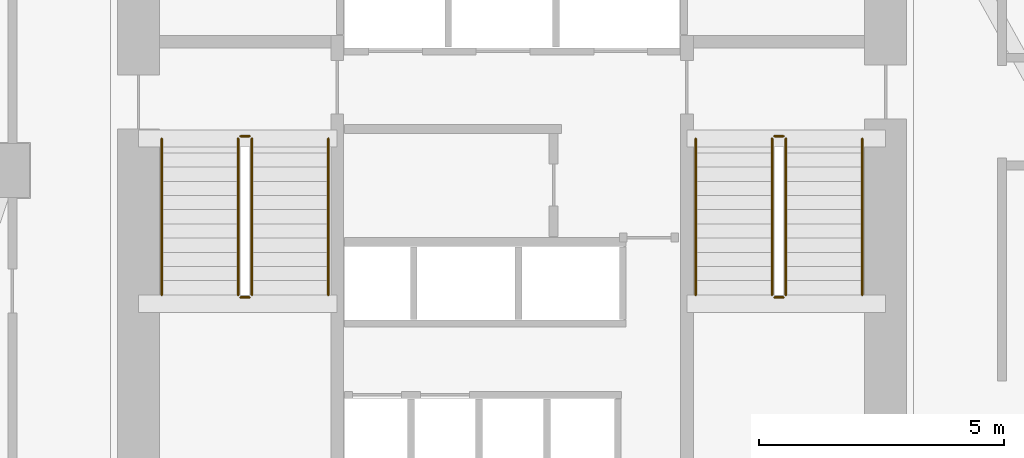
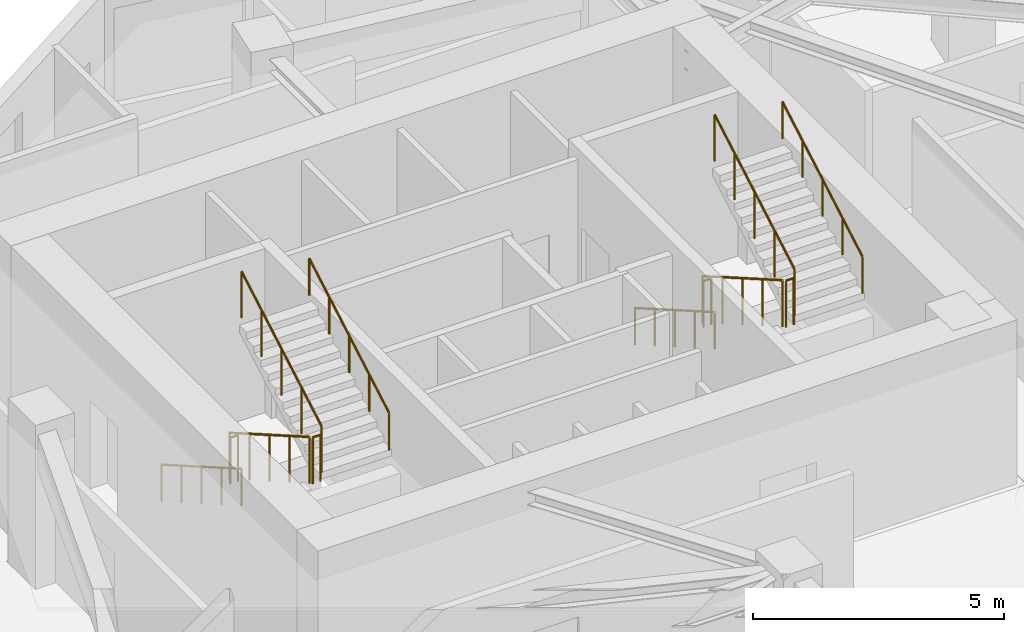
# One storey, part 9 of 9: 12 railings.
"""IFC4 building model written with IfcOpenShell, lengths in metres."""

from ifc_helpers import new_model, si_unit, direction, frame, origin, origin_2d, place, context, subcontext, project, spatial, circle, extrude, material, type_object, element, save


model = new_model("IFC4")

# Units and contexts
model_context = context("Model", 3, precision=1e-05, world=origin(), true_north=direction((0.0, 1.0)))
body_context = subcontext(model_context, "Body", "Model", "MODEL_VIEW")
ifc_project = project(units=[si_unit("LENGTHUNIT", "METRE"), si_unit("AREAUNIT", "SQUARE_METRE"), si_unit("VOLUMEUNIT", "CUBIC_METRE"), si_unit("PLANEANGLEUNIT", "RADIAN"), si_unit("MASSUNIT", "GRAM", prefix="KILO")], contexts=[model_context])

# Site, building, storey
site_placement = place(None, origin())
site = spatial("IfcSite", under=ifc_project, at=site_placement, CompositionType="ELEMENT")
building_placement = place(site_placement, origin())
building = spatial("IfcBuilding", under=site, at=building_placement, Name="Calvemar Wedge Station Tower", CompositionType="ELEMENT")
storey_placement = place(building_placement, frame((0.0, 0.0, 67.0)))
storey = spatial("IfcBuildingStorey", under=building, at=storey_placement, Name="L16", CompositionType="ELEMENT", Elevation=67.0)

# Railings
ifc_material_1 = material(Name="Stainless steel AISI 316L", Category="steel")
railing_type_1 = type_object("IfcRailingType", Name="RL-HANDRAIL-920", PredefinedType="HANDRAIL", material=ifc_material_1)
railing_1_placement = place(storey_placement, frame((16.64990234375, 41.14990234375, 0.166748046875)))
element("IfcRailing", 1, at=railing_1_placement, inside=storey, type_object=railing_type_1, Name="L16 ST-C1 stair handrail 1", PredefinedType="HANDRAIL", context=body_context, shape_type="SweptSolid", body=[
    extrude(circle(Radius=0.02392578125, at=origin_2d()), frame((0.0, 0.0, 0.89599609375), z_axis=(0.0, -0.867019545617, 0.498274128887), x_axis=(1.0, 0.0, 0.0)), (0.0, 0.0, 1.0), 3.67919921875),
    extrude(circle(Radius=0.02099609375, at=origin_2d()), origin(), (0.0, 0.0, 1.0), 0.871826171875),
    extrude(circle(Radius=0.02099609375, at=origin_2d()), frame((0.0, -0.79736328125, 0.458251953125)), (0.0, 0.0, 1.0), 0.871826171875),
    extrude(circle(Radius=0.02099609375, at=origin_2d()), frame((0.0, -1.594970703125, 0.91650390625)), (0.0, 0.0, 1.0), 0.871826171875),
    extrude(circle(Radius=0.02099609375, at=origin_2d()), frame((0.0, -2.392578125, 1.375)), (0.0, 0.0, 1.0), 0.871826171875),
    extrude(circle(Radius=0.02099609375, at=origin_2d()), frame((0.0, -3.18994140625, 1.833251953125)), (0.0, 0.0, 1.0), 0.871826171875),
])
railing_2_placement = place(storey_placement, frame((20.050048828125, 37.9599609375, 2.166748046875)))
element("IfcRailing", 2, at=railing_2_placement, inside=storey, type_object=railing_type_1, Name="L16 ST-C1 stair handrail 2", PredefinedType="HANDRAIL", context=body_context, shape_type="SweptSolid", body=[
    extrude(circle(Radius=0.02392578125, at=origin_2d()), frame((0.0, 0.0, 0.89599609375), z_axis=(0.0, 0.867019545617, 0.498274128887), x_axis=(-1.0, 0.0, 0.0)), (0.0, 0.0, 1.0), 3.67919921875),
    extrude(circle(Radius=0.02099609375, at=origin_2d()), origin(), (0.0, 0.0, 1.0), 0.871826171875),
    extrude(circle(Radius=0.02099609375, at=origin_2d()), frame((0.0, 0.79736328125, 0.458251953125)), (0.0, 0.0, 1.0), 0.871826171875),
    extrude(circle(Radius=0.02099609375, at=origin_2d()), frame((0.0, 1.594970703125, 0.91650390625)), (0.0, 0.0, 1.0), 0.871826171875),
    extrude(circle(Radius=0.02099609375, at=origin_2d()), frame((0.0, 2.392578125, 1.375)), (0.0, 0.0, 1.0), 0.871826171875),
    extrude(circle(Radius=0.02099609375, at=origin_2d()), frame((0.0, 3.18994140625, 1.833251953125)), (0.0, 0.0, 1.0), 0.871826171875),
])
railing_3_placement = place(storey_placement, frame((27.550048828125, 41.14990234375, 0.166748046875)))
element("IfcRailing", 3, at=railing_3_placement, inside=storey, type_object=railing_type_1, Name="L16 ST-C2 stair handrail 1", PredefinedType="HANDRAIL", context=body_context, shape_type="SweptSolid", body=[
    extrude(circle(Radius=0.02392578125, at=origin_2d()), frame((0.0, 0.0, 0.89599609375), z_axis=(0.0, -0.867019545617, 0.498274128887), x_axis=(1.0, 0.0, 0.0)), (0.0, 0.0, 1.0), 3.67919921875),
    extrude(circle(Radius=0.02099609375, at=origin_2d()), origin(), (0.0, 0.0, 1.0), 0.871826171875),
    extrude(circle(Radius=0.02099609375, at=origin_2d()), frame((0.0, -0.79736328125, 0.458251953125)), (0.0, 0.0, 1.0), 0.871826171875),
    extrude(circle(Radius=0.02099609375, at=origin_2d()), frame((0.0, -1.594970703125, 0.91650390625)), (0.0, 0.0, 1.0), 0.871826171875),
    extrude(circle(Radius=0.02099609375, at=origin_2d()), frame((0.0, -2.392578125, 1.375)), (0.0, 0.0, 1.0), 0.871826171875),
    extrude(circle(Radius=0.02099609375, at=origin_2d()), frame((0.0, -3.18994140625, 1.833251953125)), (0.0, 0.0, 1.0), 0.871826171875),
])
railing_4_placement = place(storey_placement, frame((30.949951171875, 37.9599609375, 2.166748046875)))
element("IfcRailing", 4, at=railing_4_placement, inside=storey, type_object=railing_type_1, Name="L16 ST-C2 stair handrail 2", PredefinedType="HANDRAIL", context=body_context, shape_type="SweptSolid", body=[
    extrude(circle(Radius=0.02392578125, at=origin_2d()), frame((0.0, 0.0, 0.89599609375), z_axis=(0.0, 0.867019545617, 0.498274128887), x_axis=(-1.0, 0.0, 0.0)), (0.0, 0.0, 1.0), 3.67919921875),
    extrude(circle(Radius=0.02099609375, at=origin_2d()), origin(), (0.0, 0.0, 1.0), 0.871826171875),
    extrude(circle(Radius=0.02099609375, at=origin_2d()), frame((0.0, 0.79736328125, 0.458251953125)), (0.0, 0.0, 1.0), 0.871826171875),
    extrude(circle(Radius=0.02099609375, at=origin_2d()), frame((0.0, 1.594970703125, 0.91650390625)), (0.0, 0.0, 1.0), 0.871826171875),
    extrude(circle(Radius=0.02099609375, at=origin_2d()), frame((0.0, 2.392578125, 1.375)), (0.0, 0.0, 1.0), 0.871826171875),
    extrude(circle(Radius=0.02099609375, at=origin_2d()), frame((0.0, 3.18994140625, 1.833251953125)), (0.0, 0.0, 1.0), 0.871826171875),
])
ifc_material_2 = material(Name="Painted steel guardrail ASTM A500 Grade C", Category="steel")
railing_type_2 = type_object("IfcRailingType", Name="RL-STAIR-GUARD-1150", PredefinedType="GUARDRAIL", material=ifc_material_2)
railing_5_placement = place(storey_placement, frame((18.2099609375, 41.14990234375, 0.166748046875)))
element("IfcRailing", 5, at=railing_5_placement, inside=storey, type_object=railing_type_2, Name="L16 ST-C1 stair guard 1", PredefinedType="GUARDRAIL", context=body_context, shape_type="SweptSolid", body=[
    extrude(circle(Radius=0.02392578125, at=origin_2d()), frame((0.0, 0.0, 1.1259765625), z_axis=(0.0, -0.867019545617, 0.498274128887), x_axis=(1.0, 0.0, 0.0)), (0.0, 0.0, 1.0), 3.67919921875),
    extrude(circle(Radius=0.02099609375, at=origin_2d()), origin(), (0.0, 0.0, 1.0), 1.101806640625),
    extrude(circle(Radius=0.02099609375, at=origin_2d()), frame((0.0, -0.79736328125, 0.458251953125)), (0.0, 0.0, 1.0), 1.101806640625),
    extrude(circle(Radius=0.02099609375, at=origin_2d()), frame((0.0, -1.594970703125, 0.91650390625)), (0.0, 0.0, 1.0), 1.101806640625),
    extrude(circle(Radius=0.02099609375, at=origin_2d()), frame((0.0, -2.392578125, 1.375)), (0.0, 0.0, 1.0), 1.101806640625),
    extrude(circle(Radius=0.02099609375, at=origin_2d()), frame((0.0, -3.18994140625, 1.833251953125)), (0.0, 0.0, 1.0), 1.101806640625),
])
railing_6_placement = place(storey_placement, frame((18.260009765625, 37.909912109375, 2.0)))
element("IfcRailing", 6, at=railing_6_placement, inside=storey, type_object=railing_type_2, Name="L16 ST-C1 stair guard 2", PredefinedType="GUARDRAIL", context=body_context, shape_type="SweptSolid", body=[
    extrude(circle(Radius=0.02392578125, at=origin_2d()), frame((0.0, 0.0, 1.1259765625), z_axis=(1.0, 0.0, 0.0), x_axis=(0.0, 1.0, 0.0)), (0.0, 0.0, 1.0), 0.179931640625),
    extrude(circle(Radius=0.02099609375, at=origin_2d()), origin(), (0.0, 0.0, 1.0), 1.101806640625),
    extrude(circle(Radius=0.02099609375, at=origin_2d()), frame((0.179931640625, 0.0, 0.0)), (0.0, 0.0, 1.0), 1.101806640625),
])
railing_7_placement = place(storey_placement, frame((18.489990234375, 37.9599609375, 2.166748046875)))
element("IfcRailing", 7, at=railing_7_placement, inside=storey, type_object=railing_type_2, Name="L16 ST-C1 stair guard 3", PredefinedType="GUARDRAIL", context=body_context, shape_type="SweptSolid", body=[
    extrude(circle(Radius=0.02392578125, at=origin_2d()), frame((0.0, 0.0, 1.1259765625), z_axis=(0.0, 0.867019545617, 0.498274128887), x_axis=(-1.0, 0.0, 0.0)), (0.0, 0.0, 1.0), 3.67919921875),
    extrude(circle(Radius=0.02099609375, at=origin_2d()), origin(), (0.0, 0.0, 1.0), 1.101806640625),
    extrude(circle(Radius=0.02099609375, at=origin_2d()), frame((0.0, 0.79736328125, 0.458251953125)), (0.0, 0.0, 1.0), 1.101806640625),
    extrude(circle(Radius=0.02099609375, at=origin_2d()), frame((0.0, 1.594970703125, 0.91650390625)), (0.0, 0.0, 1.0), 1.101806640625),
    extrude(circle(Radius=0.02099609375, at=origin_2d()), frame((0.0, 2.392578125, 1.375)), (0.0, 0.0, 1.0), 1.101806640625),
    extrude(circle(Radius=0.02099609375, at=origin_2d()), frame((0.0, 3.18994140625, 1.833251953125)), (0.0, 0.0, 1.0), 1.101806640625),
])
railing_8_placement = place(storey_placement, frame((18.260009765625, 41.199951171875, 0.0)))
element("IfcRailing", 8, at=railing_8_placement, inside=storey, type_object=railing_type_2, Name="L16 ST-C1 stair guard 4", PredefinedType="GUARDRAIL", context=body_context, shape_type="SweptSolid", body=[
    extrude(circle(Radius=0.02392578125, at=origin_2d()), frame((0.0, 0.0, 1.1259765625), z_axis=(1.0, 0.0, 0.0), x_axis=(0.0, 1.0, 0.0)), (0.0, 0.0, 1.0), 0.179931640625),
    extrude(circle(Radius=0.02099609375, at=origin_2d()), origin(), (0.0, 0.0, 1.0), 1.101806640625),
    extrude(circle(Radius=0.02099609375, at=origin_2d()), frame((0.179931640625, 0.0, 0.0)), (0.0, 0.0, 1.0), 1.101806640625),
])
railing_9_placement = place(storey_placement, frame((29.110107421875, 41.14990234375, 0.166748046875)))
element("IfcRailing", 9, at=railing_9_placement, inside=storey, type_object=railing_type_2, Name="L16 ST-C2 stair guard 1", PredefinedType="GUARDRAIL", context=body_context, shape_type="SweptSolid", body=[
    extrude(circle(Radius=0.02392578125, at=origin_2d()), frame((0.0, 0.0, 1.1259765625), z_axis=(0.0, -0.867019545617, 0.498274128887), x_axis=(1.0, 0.0, 0.0)), (0.0, 0.0, 1.0), 3.67919921875),
    extrude(circle(Radius=0.02099609375, at=origin_2d()), origin(), (0.0, 0.0, 1.0), 1.101806640625),
    extrude(circle(Radius=0.02099609375, at=origin_2d()), frame((0.0, -0.79736328125, 0.458251953125)), (0.0, 0.0, 1.0), 1.101806640625),
    extrude(circle(Radius=0.02099609375, at=origin_2d()), frame((0.0, -1.594970703125, 0.91650390625)), (0.0, 0.0, 1.0), 1.101806640625),
    extrude(circle(Radius=0.02099609375, at=origin_2d()), frame((0.0, -2.392578125, 1.375)), (0.0, 0.0, 1.0), 1.101806640625),
    extrude(circle(Radius=0.02099609375, at=origin_2d()), frame((0.0, -3.18994140625, 1.833251953125)), (0.0, 0.0, 1.0), 1.101806640625),
])
railing_10_placement = place(storey_placement, frame((29.159912109375, 37.909912109375, 2.0)))
element("IfcRailing", 10, at=railing_10_placement, inside=storey, type_object=railing_type_2, Name="L16 ST-C2 stair guard 2", PredefinedType="GUARDRAIL", context=body_context, shape_type="SweptSolid", body=[
    extrude(circle(Radius=0.02392578125, at=origin_2d()), frame((0.0, 0.0, 1.1259765625), z_axis=(1.0, 0.0, 0.0), x_axis=(0.0, 1.0, 0.0)), (0.0, 0.0, 1.0), 0.18017578125),
    extrude(circle(Radius=0.02099609375, at=origin_2d()), origin(), (0.0, 0.0, 1.0), 1.101806640625),
    extrude(circle(Radius=0.02099609375, at=origin_2d()), frame((0.18017578125, 0.0, 0.0)), (0.0, 0.0, 1.0), 1.101806640625),
])
railing_11_placement = place(storey_placement, frame((29.389892578125, 37.9599609375, 2.166748046875)))
element("IfcRailing", 11, at=railing_11_placement, inside=storey, type_object=railing_type_2, Name="L16 ST-C2 stair guard 3", PredefinedType="GUARDRAIL", context=body_context, shape_type="SweptSolid", body=[
    extrude(circle(Radius=0.02392578125, at=origin_2d()), frame((0.0, 0.0, 1.1259765625), z_axis=(0.0, 0.867019545617, 0.498274128887), x_axis=(-1.0, 0.0, 0.0)), (0.0, 0.0, 1.0), 3.67919921875),
    extrude(circle(Radius=0.02099609375, at=origin_2d()), origin(), (0.0, 0.0, 1.0), 1.101806640625),
    extrude(circle(Radius=0.02099609375, at=origin_2d()), frame((0.0, 0.79736328125, 0.458251953125)), (0.0, 0.0, 1.0), 1.101806640625),
    extrude(circle(Radius=0.02099609375, at=origin_2d()), frame((0.0, 1.594970703125, 0.91650390625)), (0.0, 0.0, 1.0), 1.101806640625),
    extrude(circle(Radius=0.02099609375, at=origin_2d()), frame((0.0, 2.392578125, 1.375)), (0.0, 0.0, 1.0), 1.101806640625),
    extrude(circle(Radius=0.02099609375, at=origin_2d()), frame((0.0, 3.18994140625, 1.833251953125)), (0.0, 0.0, 1.0), 1.101806640625),
])
railing_12_placement = place(storey_placement, frame((29.159912109375, 41.199951171875, 0.0)))
element("IfcRailing", 12, at=railing_12_placement, inside=storey, type_object=railing_type_2, Name="L16 ST-C2 stair guard 4", PredefinedType="GUARDRAIL", context=body_context, shape_type="SweptSolid", body=[
    extrude(circle(Radius=0.02392578125, at=origin_2d()), frame((0.0, 0.0, 1.1259765625), z_axis=(1.0, 0.0, 0.0), x_axis=(0.0, 1.0, 0.0)), (0.0, 0.0, 1.0), 0.18017578125),
    extrude(circle(Radius=0.02099609375, at=origin_2d()), origin(), (0.0, 0.0, 1.0), 1.101806640625),
    extrude(circle(Radius=0.02099609375, at=origin_2d()), frame((0.18017578125, 0.0, 0.0)), (0.0, 0.0, 1.0), 1.101806640625),
])

save(model, "model.ifc")
